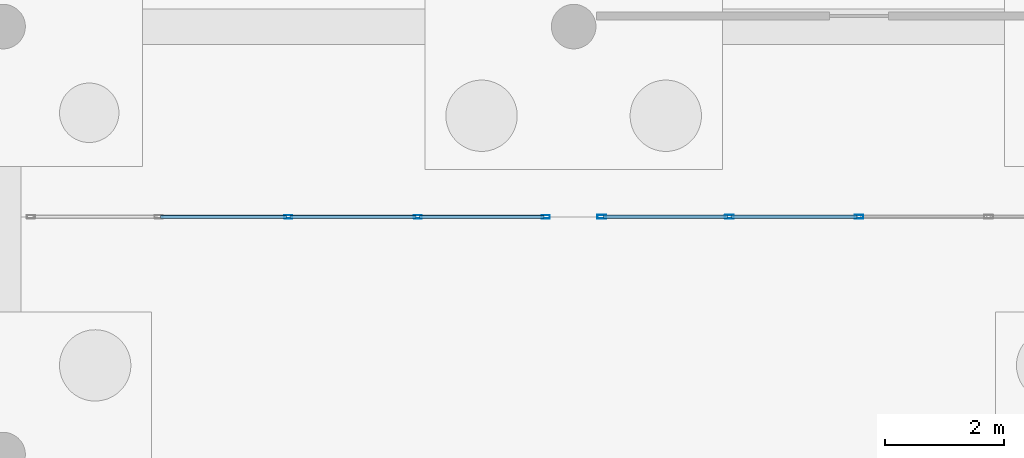
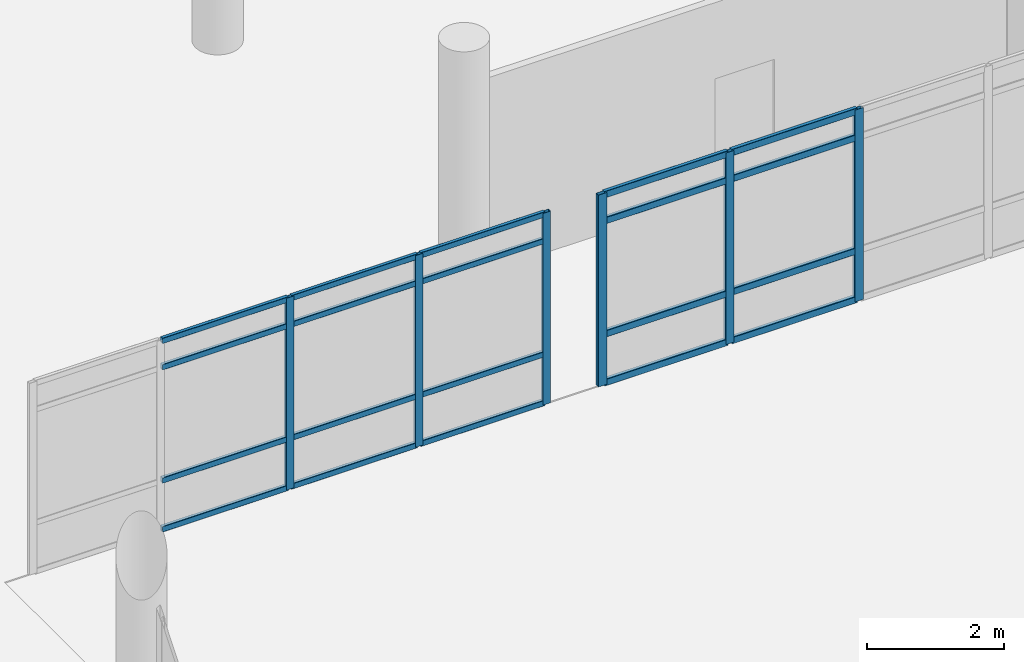
# One storey, part 101 of 196: 26 members, 2 elements without a shape of their own.
"""IFC4 building model written with IfcOpenShell, lengths in metres."""

from ifc_helpers import new_model, si_unit, direction, frame, origin, origin_2d, place, context, subcontext, project, spatial, hollow_rectangle, extrude, material, layer, layer_set, material_profile, profile_set, type_object, element, aggregate, save


model = new_model("IFC4")

# Units and contexts
model_context = context("Model", 3, precision=1e-05, world=origin(), true_north=direction((0.0, 1.0)))
body_context = subcontext(model_context, "Body", "Model", "MODEL_VIEW")
ifc_project = project(units=[si_unit("LENGTHUNIT", "METRE"), si_unit("AREAUNIT", "SQUARE_METRE"), si_unit("VOLUMEUNIT", "CUBIC_METRE"), si_unit("PLANEANGLEUNIT", "RADIAN"), si_unit("MASSUNIT", "GRAM", prefix="KILO")], contexts=[model_context])

# Site, building, storey
site_placement = place(None, origin())
site = spatial("IfcSite", under=ifc_project, at=site_placement, CompositionType="ELEMENT")
building_placement = place(site_placement, origin())
building = spatial("IfcBuilding", under=site, at=building_placement, Name="Asteropetra Specialist Clinic", CompositionType="ELEMENT")
storey_placement = place(building_placement, origin())
storey = spatial("IfcBuildingStorey", under=building, at=storey_placement, Name="L00", CompositionType="ELEMENT", Elevation=0.0)

# Curtain wall, members
ifc_material_1 = material(Name="Aluminium and low-E glass", Category="aluminium")
ifc_layer_1 = layer(ifc_material_1, 0.135009765625)
ifc_layer_set_1 = layer_set([ifc_layer_1], Name="Aluminium and low-E glass")
curtain_wall_type_1 = type_object("IfcCurtainWallType", Name="CW-SYS-03", PredefinedType="USERDEFINED", material=ifc_layer_set_1)
curtain_wall_1_placement = place(storey_placement, origin())
curtain_wall_1 = element("IfcCurtainWall", 1, at=curtain_wall_1_placement, inside=storey, type_object=curtain_wall_type_1, Name="Curtain Wall CW-002", ObjectType="UNITISED CURTAIN WALL", PredefinedType="USERDEFINED")
ifc_material_2 = material(Name="Aluminium 6063-T6", Category="aluminium")
ifc_material_profile_1 = material_profile(ifc_material_2, hollow_rectangle(XDim=0.06005859375, YDim=0.135009765625, WallThickness=0.00341796875, InnerFilletRadius=0.00341796875, OuterFilletRadius=0.007080078125, at=origin_2d()), Name="MUL 135x60x3.5")
ifc_profile_set_1 = profile_set([ifc_material_profile_1], Name="Aluminium 6063-T6")
member_type_1 = type_object("IfcMemberType", Name="CWM-135x60", PredefinedType="MULLION", material=ifc_profile_set_1)
member_1_placement = place(storey_placement, frame((18.72998046875, 95.199951171875, 0.0), z_axis=(0.0, 0.0, 1.0), x_axis=(0.0, -1.0, 0.0)))
member_1 = element("IfcMember", 2, at=member_1_placement, type_object=member_type_1, Name="CW-002 mullion 1", PredefinedType="MULLION", context=body_context, shape_type="SweptSolid", body=[
    extrude(hollow_rectangle(XDim=0.06005859375, YDim=0.135009765625, WallThickness=0.00341796875, InnerFilletRadius=0.00341796875, OuterFilletRadius=0.007080078125, at=origin_2d()), origin(), (0.0, 0.0, 1.0), 3.419921875),
])
member_2_placement = place(storey_placement, frame((16.580078125, 95.199951171875, 0.0), z_axis=(0.0, 0.0, 1.0), x_axis=(0.0, -1.0, 0.0)))
member_2 = element("IfcMember", 3, at=member_2_placement, type_object=member_type_1, Name="CW-002 mullion 2", PredefinedType="MULLION", context=body_context, shape_type="SweptSolid", body=[
    extrude(hollow_rectangle(XDim=0.06005859375, YDim=0.135009765625, WallThickness=0.00341796875, InnerFilletRadius=0.00341796875, OuterFilletRadius=0.007080078125, at=origin_2d()), origin(), (0.0, 0.0, 1.0), 3.419921875),
])
member_3_placement = place(storey_placement, frame((14.39990234375, 95.199951171875, 0.0), z_axis=(0.0, 0.0, 1.0), x_axis=(0.0, -1.0, 0.0)))
member_3 = element("IfcMember", 4, at=member_3_placement, type_object=member_type_1, Name="CW-002 mullion 3", PredefinedType="MULLION", context=body_context, shape_type="SweptSolid", body=[
    extrude(hollow_rectangle(XDim=0.06005859375, YDim=0.135009765625, WallThickness=0.00341796875, InnerFilletRadius=0.00341796875, OuterFilletRadius=0.007080078125, at=origin_2d()), origin(), (0.0, 0.0, 1.0), 3.419921875),
])

ifc_material_3 = material(Name="Aluminium and low-E glass", Category="aluminium")
ifc_layer_2 = layer(ifc_material_3, 0.179931640625)
ifc_layer_set_2 = layer_set([ifc_layer_2], Name="Aluminium and low-E glass")
curtain_wall_type_2 = type_object("IfcCurtainWallType", Name="CW-SYS-04", PredefinedType="USERDEFINED", material=ifc_layer_set_2)
curtain_wall_2_placement = place(storey_placement, origin())
curtain_wall_2 = element("IfcCurtainWall", 5, at=curtain_wall_2_placement, inside=storey, type_object=curtain_wall_type_2, Name="Curtain Wall CW-004", ObjectType="UNITISED CURTAIN WALL", PredefinedType="USERDEFINED")
ifc_material_4 = material(Name="Aluminium 6063-T6", Category="aluminium")
ifc_material_profile_2 = material_profile(ifc_material_4, hollow_rectangle(XDim=0.06494140625, YDim=0.14990234375, WallThickness=0.00390625, InnerFilletRadius=0.00390625, OuterFilletRadius=0.008056640625, at=origin_2d()), Name="MUL 150x65x4.0")
ifc_profile_set_2 = profile_set([ifc_material_profile_2], Name="Aluminium 6063-T6")
member_type_2 = type_object("IfcMemberType", Name="CWM-150x65", PredefinedType="MULLION", material=ifc_profile_set_2)
member_4_placement = place(storey_placement, frame((24.0, 95.199951171875, 0.0), z_axis=(0.0, 0.0, 1.0), x_axis=(0.0, -1.0, 0.0)))
member_4 = element("IfcMember", 6, at=member_4_placement, type_object=member_type_2, Name="CW-004 mullion 3", PredefinedType="MULLION", context=body_context, shape_type="SweptSolid", body=[
    extrude(hollow_rectangle(XDim=0.06494140625, YDim=0.14990234375, WallThickness=0.00390625, InnerFilletRadius=0.00390625, OuterFilletRadius=0.008056640625, at=origin_2d()), origin(), (0.0, 0.0, 1.0), 3.419921875),
])
member_5_placement = place(storey_placement, frame((21.820068359375, 95.199951171875, 0.0), z_axis=(0.0, 0.0, 1.0), x_axis=(0.0, -1.0, 0.0)))
member_5 = element("IfcMember", 7, at=member_5_placement, type_object=member_type_2, Name="CW-004 mullion 4", PredefinedType="MULLION", context=body_context, shape_type="SweptSolid", body=[
    extrude(hollow_rectangle(XDim=0.06494140625, YDim=0.14990234375, WallThickness=0.00390625, InnerFilletRadius=0.00390625, OuterFilletRadius=0.008056640625, at=origin_2d()), origin(), (0.0, 0.0, 1.0), 3.419921875),
])
member_6_placement = place(storey_placement, frame((19.672607421875, 95.199951171875, 0.0), z_axis=(0.0, 0.0, 1.0), x_axis=(0.0, -1.0, 0.0)))
member_6 = element("IfcMember", 8, at=member_6_placement, type_object=member_type_2, Name="CW-004 mullion 5", PredefinedType="MULLION", context=body_context, shape_type="SweptSolid", body=[
    extrude(hollow_rectangle(XDim=0.06494140625, YDim=0.14990234375, WallThickness=0.00390625, InnerFilletRadius=0.00390625, OuterFilletRadius=0.008056640625, at=origin_2d()), origin(), (0.0, 0.0, 1.0), 3.419921875),
])

# Member
ifc_material_5 = material(Name="Aluminium 6063-T6", Category="aluminium")
ifc_material_profile_3 = material_profile(ifc_material_5, hollow_rectangle(XDim=0.06005859375, YDim=0.10009765625, WallThickness=0.00341796875, InnerFilletRadius=0.00341796875, OuterFilletRadius=0.007080078125, at=origin_2d()), Name="TRN 100x60x3.5")
ifc_profile_set_3 = profile_set([ifc_material_profile_3], Name="Aluminium 6063-T6")
member_type_3 = type_object("IfcMemberType", Name="CWT-100x60", PredefinedType="USERDEFINED", material=ifc_profile_set_3)
member_7_placement = place(storey_placement, frame((18.699951171875, 95.199951171875, 0.030029296875), z_axis=(-1.0, 0.0, 0.0), x_axis=(0.0, -1.0, 0.0)))
member_7 = element("IfcMember", 9, at=member_7_placement, type_object=member_type_3, Name="CW-002 transom 1.1", ObjectType="TRANSOM", PredefinedType="USERDEFINED", context=body_context, shape_type="SweptSolid", body=[
    extrude(hollow_rectangle(XDim=0.06005859375, YDim=0.10009765625, WallThickness=0.00341796875, InnerFilletRadius=0.00341796875, OuterFilletRadius=0.007080078125, at=origin_2d()), origin(), (0.0, 0.0, 1.0), 2.08984375),
])

member_8_placement = place(storey_placement, frame((18.699951171875, 95.199951171875, 0.89990234375), z_axis=(-1.0, 0.0, 0.0), x_axis=(0.0, -1.0, 0.0)))
member_8 = element("IfcMember", 10, at=member_8_placement, type_object=member_type_3, Name="CW-002 transom 1.2", ObjectType="TRANSOM", PredefinedType="USERDEFINED", context=body_context, shape_type="SweptSolid", body=[
    extrude(hollow_rectangle(XDim=0.06005859375, YDim=0.10009765625, WallThickness=0.00341796875, InnerFilletRadius=0.00341796875, OuterFilletRadius=0.007080078125, at=origin_2d()), origin(), (0.0, 0.0, 1.0), 2.08984375),
])

member_9_placement = place(storey_placement, frame((18.699951171875, 95.199951171875, 2.919921875), z_axis=(-1.0, 0.0, 0.0), x_axis=(0.0, -1.0, 0.0)))
member_9 = element("IfcMember", 11, at=member_9_placement, type_object=member_type_3, Name="CW-002 transom 1.3", ObjectType="TRANSOM", PredefinedType="USERDEFINED", context=body_context, shape_type="SweptSolid", body=[
    extrude(hollow_rectangle(XDim=0.06005859375, YDim=0.10009765625, WallThickness=0.00341796875, InnerFilletRadius=0.00341796875, OuterFilletRadius=0.007080078125, at=origin_2d()), origin(), (0.0, 0.0, 1.0), 2.08984375),
])

member_10_placement = place(storey_placement, frame((18.699951171875, 95.199951171875, 3.389892578125), z_axis=(-1.0, 0.0, 0.0), x_axis=(0.0, -1.0, 0.0)))
member_10 = element("IfcMember", 12, at=member_10_placement, type_object=member_type_3, Name="CW-002 transom 1.4", ObjectType="TRANSOM", PredefinedType="USERDEFINED", context=body_context, shape_type="SweptSolid", body=[
    extrude(hollow_rectangle(XDim=0.06005859375, YDim=0.10009765625, WallThickness=0.00341796875, InnerFilletRadius=0.00341796875, OuterFilletRadius=0.007080078125, at=origin_2d()), origin(), (0.0, 0.0, 1.0), 2.08984375),
])

member_11_placement = place(storey_placement, frame((16.550048828125, 95.199951171875, 0.030029296875), z_axis=(-1.0, 0.0, 0.0), x_axis=(0.0, -1.0, 0.0)))
member_11 = element("IfcMember", 13, at=member_11_placement, type_object=member_type_3, Name="CW-002 transom 2.1", ObjectType="TRANSOM", PredefinedType="USERDEFINED", context=body_context, shape_type="SweptSolid", body=[
    extrude(hollow_rectangle(XDim=0.06005859375, YDim=0.10009765625, WallThickness=0.00341796875, InnerFilletRadius=0.00341796875, OuterFilletRadius=0.007080078125, at=origin_2d()), origin(), (0.0, 0.0, 1.0), 2.1201171875),
])

member_12_placement = place(storey_placement, frame((16.550048828125, 95.199951171875, 0.89990234375), z_axis=(-1.0, 0.0, 0.0), x_axis=(0.0, -1.0, 0.0)))
member_12 = element("IfcMember", 14, at=member_12_placement, type_object=member_type_3, Name="CW-002 transom 2.2", ObjectType="TRANSOM", PredefinedType="USERDEFINED", context=body_context, shape_type="SweptSolid", body=[
    extrude(hollow_rectangle(XDim=0.06005859375, YDim=0.10009765625, WallThickness=0.00341796875, InnerFilletRadius=0.00341796875, OuterFilletRadius=0.007080078125, at=origin_2d()), origin(), (0.0, 0.0, 1.0), 2.1201171875),
])

member_13_placement = place(storey_placement, frame((16.550048828125, 95.199951171875, 2.919921875), z_axis=(-1.0, 0.0, 0.0), x_axis=(0.0, -1.0, 0.0)))
member_13 = element("IfcMember", 15, at=member_13_placement, type_object=member_type_3, Name="CW-002 transom 2.3", ObjectType="TRANSOM", PredefinedType="USERDEFINED", context=body_context, shape_type="SweptSolid", body=[
    extrude(hollow_rectangle(XDim=0.06005859375, YDim=0.10009765625, WallThickness=0.00341796875, InnerFilletRadius=0.00341796875, OuterFilletRadius=0.007080078125, at=origin_2d()), origin(), (0.0, 0.0, 1.0), 2.1201171875),
])

member_14_placement = place(storey_placement, frame((16.550048828125, 95.199951171875, 3.389892578125), z_axis=(-1.0, 0.0, 0.0), x_axis=(0.0, -1.0, 0.0)))
member_14 = element("IfcMember", 16, at=member_14_placement, type_object=member_type_3, Name="CW-002 transom 2.4", ObjectType="TRANSOM", PredefinedType="USERDEFINED", context=body_context, shape_type="SweptSolid", body=[
    extrude(hollow_rectangle(XDim=0.06005859375, YDim=0.10009765625, WallThickness=0.00341796875, InnerFilletRadius=0.00341796875, OuterFilletRadius=0.007080078125, at=origin_2d()), origin(), (0.0, 0.0, 1.0), 2.1201171875),
])

member_15_placement = place(storey_placement, frame((14.3701171875, 95.199951171875, 0.030029296875), z_axis=(-1.0, 0.0, 0.0), x_axis=(0.0, -1.0, 0.0)))
member_15 = element("IfcMember", 17, at=member_15_placement, type_object=member_type_3, Name="CW-002 transom 3.1", ObjectType="TRANSOM", PredefinedType="USERDEFINED", context=body_context, shape_type="SweptSolid", body=[
    extrude(hollow_rectangle(XDim=0.06005859375, YDim=0.10009765625, WallThickness=0.00341796875, InnerFilletRadius=0.00341796875, OuterFilletRadius=0.007080078125, at=origin_2d()), origin(), (0.0, 0.0, 1.0), 2.1201171875),
])

member_16_placement = place(storey_placement, frame((14.3701171875, 95.199951171875, 0.89990234375), z_axis=(-1.0, 0.0, 0.0), x_axis=(0.0, -1.0, 0.0)))
member_16 = element("IfcMember", 18, at=member_16_placement, type_object=member_type_3, Name="CW-002 transom 3.2", ObjectType="TRANSOM", PredefinedType="USERDEFINED", context=body_context, shape_type="SweptSolid", body=[
    extrude(hollow_rectangle(XDim=0.06005859375, YDim=0.10009765625, WallThickness=0.00341796875, InnerFilletRadius=0.00341796875, OuterFilletRadius=0.007080078125, at=origin_2d()), origin(), (0.0, 0.0, 1.0), 2.1201171875),
])

member_17_placement = place(storey_placement, frame((14.3701171875, 95.199951171875, 2.919921875), z_axis=(-1.0, 0.0, 0.0), x_axis=(0.0, -1.0, 0.0)))
member_17 = element("IfcMember", 19, at=member_17_placement, type_object=member_type_3, Name="CW-002 transom 3.3", ObjectType="TRANSOM", PredefinedType="USERDEFINED", context=body_context, shape_type="SweptSolid", body=[
    extrude(hollow_rectangle(XDim=0.06005859375, YDim=0.10009765625, WallThickness=0.00341796875, InnerFilletRadius=0.00341796875, OuterFilletRadius=0.007080078125, at=origin_2d()), origin(), (0.0, 0.0, 1.0), 2.1201171875),
])

member_18_placement = place(storey_placement, frame((14.3701171875, 95.199951171875, 3.389892578125), z_axis=(-1.0, 0.0, 0.0), x_axis=(0.0, -1.0, 0.0)))
member_18 = element("IfcMember", 20, at=member_18_placement, type_object=member_type_3, Name="CW-002 transom 3.4", ObjectType="TRANSOM", PredefinedType="USERDEFINED", context=body_context, shape_type="SweptSolid", body=[
    extrude(hollow_rectangle(XDim=0.06005859375, YDim=0.10009765625, WallThickness=0.00341796875, InnerFilletRadius=0.00341796875, OuterFilletRadius=0.007080078125, at=origin_2d()), origin(), (0.0, 0.0, 1.0), 2.1201171875),
])

aggregate(curtain_wall_1, [member_1, member_2, member_3, member_7, member_8, member_9, member_10, member_11, member_12, member_13, member_14, member_15, member_16, member_17, member_18])

ifc_material_6 = material(Name="Aluminium 6063-T6", Category="aluminium")
ifc_material_profile_4 = material_profile(ifc_material_6, hollow_rectangle(XDim=0.06494140625, YDim=0.1201171875, WallThickness=0.00390625, InnerFilletRadius=0.00390625, OuterFilletRadius=0.008056640625, at=origin_2d()), Name="TRN 120x65x4.0")
ifc_profile_set_4 = profile_set([ifc_material_profile_4], Name="Aluminium 6063-T6")
member_type_4 = type_object("IfcMemberType", Name="CWT-120x65", PredefinedType="USERDEFINED", material=ifc_profile_set_4)
member_19_placement = place(storey_placement, frame((23.967529296875, 95.199951171875, 0.032470703125), z_axis=(-1.0, 0.0, 0.0), x_axis=(0.0, -1.0, 0.0)))
member_19 = element("IfcMember", 21, at=member_19_placement, type_object=member_type_4, Name="CW-004 transom 3.1", ObjectType="TRANSOM", PredefinedType="USERDEFINED", context=body_context, shape_type="SweptSolid", body=[
    extrude(hollow_rectangle(XDim=0.06494140625, YDim=0.1201171875, WallThickness=0.00390625, InnerFilletRadius=0.00390625, OuterFilletRadius=0.008056640625, at=origin_2d()), origin(), (0.0, 0.0, 1.0), 2.114990234375),
])

member_20_placement = place(storey_placement, frame((23.967529296875, 95.199951171875, 0.89990234375), z_axis=(-1.0, 0.0, 0.0), x_axis=(0.0, -1.0, 0.0)))
member_20 = element("IfcMember", 22, at=member_20_placement, type_object=member_type_4, Name="CW-004 transom 3.2", ObjectType="TRANSOM", PredefinedType="USERDEFINED", context=body_context, shape_type="SweptSolid", body=[
    extrude(hollow_rectangle(XDim=0.06494140625, YDim=0.1201171875, WallThickness=0.00390625, InnerFilletRadius=0.00390625, OuterFilletRadius=0.008056640625, at=origin_2d()), origin(), (0.0, 0.0, 1.0), 2.114990234375),
])

member_21_placement = place(storey_placement, frame((23.967529296875, 95.199951171875, 2.919921875), z_axis=(-1.0, 0.0, 0.0), x_axis=(0.0, -1.0, 0.0)))
member_21 = element("IfcMember", 23, at=member_21_placement, type_object=member_type_4, Name="CW-004 transom 3.3", ObjectType="TRANSOM", PredefinedType="USERDEFINED", context=body_context, shape_type="SweptSolid", body=[
    extrude(hollow_rectangle(XDim=0.06494140625, YDim=0.1201171875, WallThickness=0.00390625, InnerFilletRadius=0.00390625, OuterFilletRadius=0.008056640625, at=origin_2d()), origin(), (0.0, 0.0, 1.0), 2.114990234375),
])

member_22_placement = place(storey_placement, frame((23.967529296875, 95.199951171875, 3.387451171875), z_axis=(-1.0, 0.0, 0.0), x_axis=(0.0, -1.0, 0.0)))
member_22 = element("IfcMember", 24, at=member_22_placement, type_object=member_type_4, Name="CW-004 transom 3.4", ObjectType="TRANSOM", PredefinedType="USERDEFINED", context=body_context, shape_type="SweptSolid", body=[
    extrude(hollow_rectangle(XDim=0.06494140625, YDim=0.1201171875, WallThickness=0.00390625, InnerFilletRadius=0.00390625, OuterFilletRadius=0.008056640625, at=origin_2d()), origin(), (0.0, 0.0, 1.0), 2.114990234375),
])

member_23_placement = place(storey_placement, frame((21.78759765625, 95.199951171875, 0.032470703125), z_axis=(-1.0, 0.0, 0.0), x_axis=(0.0, -1.0, 0.0)))
member_23 = element("IfcMember", 25, at=member_23_placement, type_object=member_type_4, Name="CW-004 transom 4.1", ObjectType="TRANSOM", PredefinedType="USERDEFINED", context=body_context, shape_type="SweptSolid", body=[
    extrude(hollow_rectangle(XDim=0.06494140625, YDim=0.1201171875, WallThickness=0.00390625, InnerFilletRadius=0.00390625, OuterFilletRadius=0.008056640625, at=origin_2d()), origin(), (0.0, 0.0, 1.0), 2.08251953125),
])

member_24_placement = place(storey_placement, frame((21.78759765625, 95.199951171875, 0.89990234375), z_axis=(-1.0, 0.0, 0.0), x_axis=(0.0, -1.0, 0.0)))
member_24 = element("IfcMember", 26, at=member_24_placement, type_object=member_type_4, Name="CW-004 transom 4.2", ObjectType="TRANSOM", PredefinedType="USERDEFINED", context=body_context, shape_type="SweptSolid", body=[
    extrude(hollow_rectangle(XDim=0.06494140625, YDim=0.1201171875, WallThickness=0.00390625, InnerFilletRadius=0.00390625, OuterFilletRadius=0.008056640625, at=origin_2d()), origin(), (0.0, 0.0, 1.0), 2.08251953125),
])

member_25_placement = place(storey_placement, frame((21.78759765625, 95.199951171875, 2.919921875), z_axis=(-1.0, 0.0, 0.0), x_axis=(0.0, -1.0, 0.0)))
member_25 = element("IfcMember", 27, at=member_25_placement, type_object=member_type_4, Name="CW-004 transom 4.3", ObjectType="TRANSOM", PredefinedType="USERDEFINED", context=body_context, shape_type="SweptSolid", body=[
    extrude(hollow_rectangle(XDim=0.06494140625, YDim=0.1201171875, WallThickness=0.00390625, InnerFilletRadius=0.00390625, OuterFilletRadius=0.008056640625, at=origin_2d()), origin(), (0.0, 0.0, 1.0), 2.08251953125),
])

member_26_placement = place(storey_placement, frame((21.78759765625, 95.199951171875, 3.387451171875), z_axis=(-1.0, 0.0, 0.0), x_axis=(0.0, -1.0, 0.0)))
member_26 = element("IfcMember", 28, at=member_26_placement, type_object=member_type_4, Name="CW-004 transom 4.4", ObjectType="TRANSOM", PredefinedType="USERDEFINED", context=body_context, shape_type="SweptSolid", body=[
    extrude(hollow_rectangle(XDim=0.06494140625, YDim=0.1201171875, WallThickness=0.00390625, InnerFilletRadius=0.00390625, OuterFilletRadius=0.008056640625, at=origin_2d()), origin(), (0.0, 0.0, 1.0), 2.08251953125),
])

aggregate(curtain_wall_2, [member_4, member_5, member_6, member_19, member_20, member_21, member_22, member_23, member_24, member_25, member_26])

save(model, "model.ifc")
